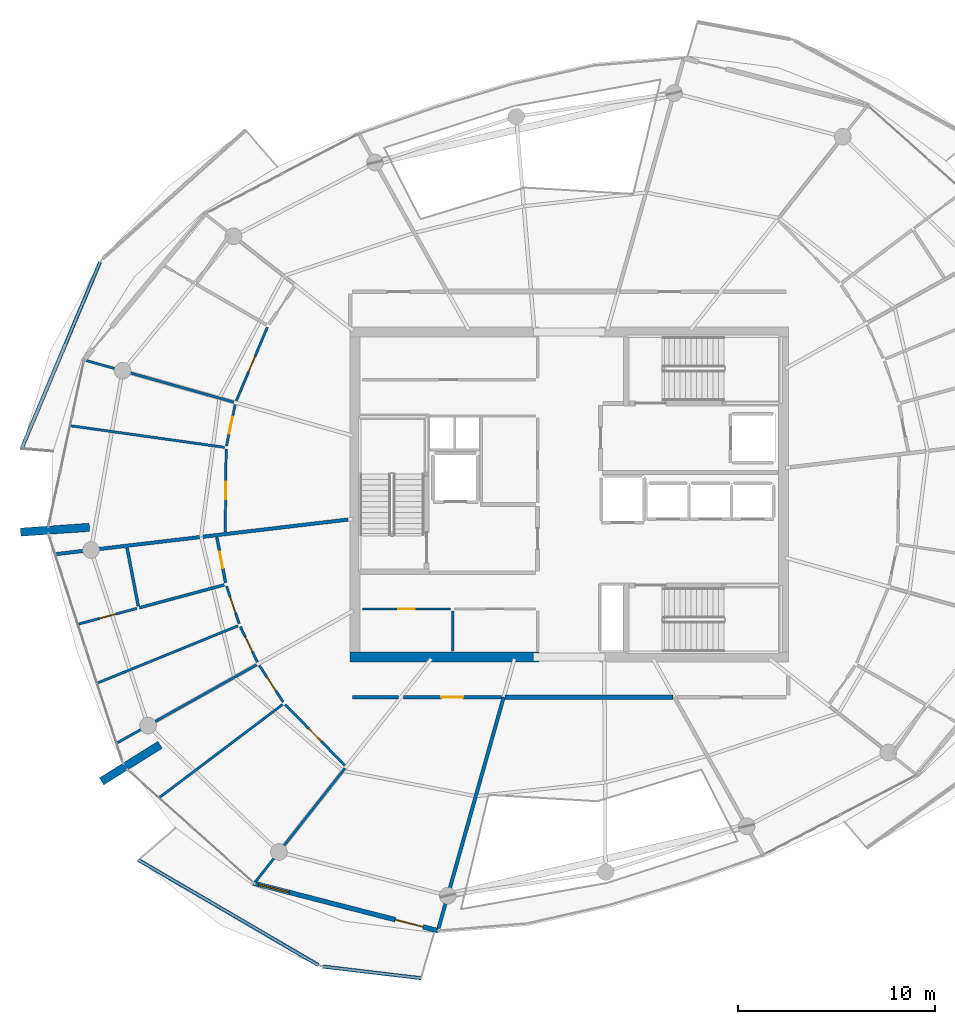
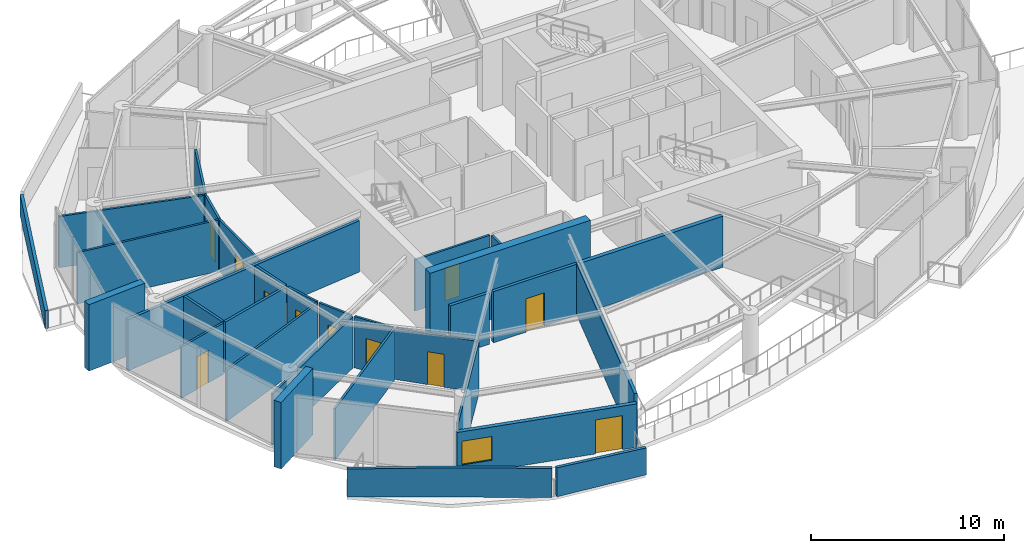
# One storey, part 12 of 21: 31 walls, 12 doors, 1 window, 13 openings.
"""IFC4 building model written with IfcOpenShell, lengths in metres."""

from ifc_helpers import new_model, si_unit, direction, frame, frame_2d, origin, place, context, subcontext, project, spatial, polyline, rectangle, outline, extrude, material, layer, layer_set, type_object, element, fill, save


model = new_model("IFC4")

# Units and contexts
model_context = context("Model", 3, precision=1e-05, world=origin(), true_north=direction((0.0, 1.0)))
body_context = subcontext(model_context, "Body", "Model", "MODEL_VIEW")
ifc_project = project(units=[si_unit("LENGTHUNIT", "METRE"), si_unit("AREAUNIT", "SQUARE_METRE"), si_unit("VOLUMEUNIT", "CUBIC_METRE"), si_unit("PLANEANGLEUNIT", "RADIAN"), si_unit("MASSUNIT", "GRAM", prefix="KILO")], contexts=[model_context])

# Site, building, storey
site_placement = place(None, origin())
site = spatial("IfcSite", under=ifc_project, at=site_placement, CompositionType="ELEMENT")
building_placement = place(site_placement, origin())
building = spatial("IfcBuilding", under=site, at=building_placement, Name="Kazma Halo Residences", CompositionType="ELEMENT")
storey_placement = place(building_placement, frame((0.0, 0.0, 338.89990234375)))
storey = spatial("IfcBuildingStorey", under=building, at=storey_placement, Name="L85", CompositionType="ELEMENT", Elevation=338.89990234375)

# Walls
ifc_material_1 = material(Name="White Concrete C50/60 Balustrade", Category="concrete")
ifc_layer_1 = layer(ifc_material_1, 0.179931640625)
ifc_layer_set_1 = layer_set([ifc_layer_1], Name="White Concrete C50/60 Balustrade")
wall_type_1 = type_object("IfcWallType", Name="WL-BAL-WAVE-180", PredefinedType="PARAPET", material=ifc_layer_set_1)
wall_1_placement = place(storey_placement, frame((24.5966796875, 53.790283203125, 0.0), z_axis=(0.0, 0.0, 1.0), x_axis=(-0.38743619069, -0.921896522471, 0.0)))
element("IfcWall", 1, at=wall_1_placement, inside=storey, type_object=wall_type_1, Name="L85 white wave balustrade wall NW.2", PredefinedType="PARAPET", context=body_context, shape_type="SweptSolid", body=[
    extrude(outline(polyline([(0.0, 0.0), (10.268798828125, 0.0), (10.26904296875, 1.1201171875), (5.134521484375, 1.18212890625), (0.0, 1.34814453125), (0.0, 0.0)])), frame((0.0, 0.08984375, 0.0), z_axis=(0.0, -1.0, 0.0), x_axis=(1.0, 0.0, 0.0)), (0.0, 0.0, 1.0), 0.179931640625),
])
wall_2_placement = place(storey_placement, frame((26.536865234375, 23.440673828125, 0.0), z_axis=(0.0, 0.0, 1.0), x_axis=(0.863585787324, -0.504201931701, 0.0)))
element("IfcWall", 2, at=wall_2_placement, inside=storey, type_object=wall_type_1, Name="L85 white wave balustrade wall SW.1", PredefinedType="PARAPET", context=body_context, shape_type="SweptSolid", body=[
    extrude(outline(polyline([(0.0, 0.0), (10.595458984375, 0.0), (10.595703125, 1.83203125), (5.2978515625, 1.85302734375), (0.0, 1.756103515625), (0.0, 0.0)])), frame((0.0, 0.08984375, 0.0), z_axis=(0.0, -1.0, 0.0), x_axis=(1.0, 0.0, 0.0)), (0.0, 0.0, 1.0), 0.179931640625),
])
wall_3_placement = place(storey_placement, frame((35.909912109375, 18.023681640625, 0.0), z_axis=(0.0, 0.0, 1.0), x_axis=(0.993029560094, -0.117865570802, 0.0)))
element("IfcWall", 3, at=wall_3_placement, inside=storey, type_object=wall_type_1, Name="L85 white wave balustrade wall SW.2", PredefinedType="PARAPET", context=body_context, shape_type="SweptSolid", body=[
    extrude(outline(polyline([(0.0, 0.0), (5.033447265625, 0.0), (5.03369140625, 1.701171875), (0.0, 1.83203125), (0.0, 0.0)])), frame((0.0, 0.08984375, 0.0), z_axis=(0.0, -1.0, 0.0), x_axis=(1.0, 0.0, 0.0)), (0.0, 0.0, 1.0), 0.179931640625),
])
ifc_material_2 = material(Name="Pale Concrete C60/75", Category="concrete")
ifc_layer_2 = layer(ifc_material_2, 0.419921875)
ifc_layer_set_2 = layer_set([ifc_layer_2], Name="Pale Concrete C60/75")
wall_type_2 = type_object("IfcWallType", Name="WL-BLADE-420", PredefinedType="SOLIDWALL", material=ifc_layer_set_2)
for number, where, z_axis, x_axis, name in (
    (4, (24.05908203125, 40.325927734375, 0.0), (0.0, 0.0, 1.0), (-0.997564163539, -0.069754853754, 0.0), "L85 pale concrete structural blade fin wall BW-02"),
    (5, (27.6474609375, 29.2822265625, 0.0), (0.0, 0.0, 1.0), (-0.848053161125, -0.529911158502, 0.0), "L85 pale concrete structural blade fin wall BW-03"),
):
    element("IfcWall", number, at=place(storey_placement, frame(where, z_axis=z_axis, x_axis=x_axis)), inside=storey, type_object=wall_type_2, Name=name, PredefinedType="SOLIDWALL", context=body_context, shape_type="SweptSolid", body=[
        extrude(rectangle(XDim=3.5, YDim=0.419921875, at=frame_2d((1.75, 0.0))), origin(), (0.0, 0.0, 1.0), 4.2001953125),
    ])
ifc_material_3 = material(Name="Concrete C60/75", Category="concrete")
ifc_layer_3 = layer(ifc_material_3, 0.5)
ifc_layer_set_3 = layer_set([ifc_layer_3], Name="Concrete C60/75")
wall_type_3 = type_object("IfcWallType", Name="WL-CORE-500", PredefinedType="SHEAR", material=ifc_layer_set_3)
wall_4_placement = place(storey_placement, frame((37.300048828125, 33.75, 0.0), z_axis=(0.0, 0.0, 1.0), x_axis=(1.0, 0.0, 0.0)))
element("IfcWall", 6, at=wall_4_placement, inside=storey, type_object=wall_type_3, Name="L85 central core shear wall SW", PredefinedType="SHEAR", context=body_context, shape_type="SweptSolid", body=[
    extrude(rectangle(XDim=9.599853515625, YDim=0.5, at=frame_2d((4.7998046875, 0.0))), origin(), (0.0, 0.0, 1.0), 4.2001953125),
])
ifc_material_4 = material(Name="Acoustic Twin-Stud Gypsum")
ifc_layer_4 = layer(ifc_material_4, 0.179931640625)
ifc_layer_set_4 = layer_set([ifc_layer_4], Name="Acoustic Twin-Stud Gypsum")
wall_type_4 = type_object("IfcWallType", Name="WL-DEM-180", PredefinedType="PARTITIONING", material=ifc_layer_set_4)
wall_5_placement = place(storey_placement, frame((37.19091796875, 40.720703125, 0.0), z_axis=(0.0, 0.0, 1.0), x_axis=(-0.993068548333, -0.117536625409, 0.0)))
element("IfcWall", 7, at=wall_5_placement, inside=storey, type_object=wall_type_4, Name="L85 apartment demising radial wall 07", PredefinedType="PARTITIONING", context=body_context, shape_type="SweptSolid", body=[
    extrude(rectangle(XDim=14.951171875, YDim=0.179931640625, at=frame_2d((7.4755859375, 0.0))), origin(), (0.0, 0.0, 1.0), 3.239990234375),
])
wall_6_placement = place(storey_placement, frame((45.09521484375, 31.699951171875, 0.0), z_axis=(0.0, 0.0, 1.0), x_axis=(-0.271453030279, -0.962451688321, 0.0)))
element("IfcWall", 8, at=wall_6_placement, inside=storey, type_object=wall_type_4, Name="L85 apartment demising radial wall 10", PredefinedType="PARTITIONING", context=body_context, shape_type="SweptSolid", body=[
    extrude(rectangle(XDim=12.191162109375, YDim=0.179931640625, at=frame_2d((6.095703125, 0.0))), origin(), (0.0, 0.0, 1.0), 3.239990234375),
])

# Wall, opening, door
wall_7_placement = place(storey_placement, frame((40.0, 31.699951171875, 0.0), z_axis=(0.0, 0.0, 1.0), x_axis=(1.0, 0.0, 0.0)))
wall_7 = element("IfcWall", 9, at=wall_7_placement, inside=storey, type_object=wall_type_4, Name="L85 Penthouse 2 entrance corridor wall", PredefinedType="PARTITIONING", context=body_context, shape_type="SweptSolid", body=[
    extrude(rectangle(XDim=4.97509765625, YDim=0.179931640625, at=frame_2d((2.487548828125, 0.0))), origin(), (0.0, 0.0, 1.0), 3.239990234375),
])
opening_1_placement = place(wall_7_placement, frame((1.9375, 0.0, 0.0)))
opening_1 = element("IfcOpeningElement", 10, at=opening_1_placement, cuts=wall_7, Name="Opening DA-1100", PredefinedType="OPENING", context=body_context, shape_type="SweptSolid", body=[
    extrude(rectangle(XDim=1.10009765625, YDim=2.10009765625, at=frame_2d((0.550048828125, 1.050048828125))), frame((0.0, 0.099853515625, 0.0), z_axis=(0.0, -1.0, 0.0), x_axis=(1.0, 0.0, 0.0)), (0.0, 0.0, 1.0), 0.199951171875),
])
ifc_material_5 = material(Name="Acoustic Walnut Fire Leaf")
door_type_1 = type_object("IfcDoorType", Name="DR-FD60-1100", OperationType="NOTDEFINED", PredefinedType="DOOR", material=ifc_material_5)
door_1_placement = place(opening_1_placement, origin())
door_1 = element("IfcDoor", 11, at=door_1_placement, inside=storey, type_object=door_type_1, Name="L85 Penthouse 2 entrance fire door", OperationType="SINGLE_SWING_RIGHT", OverallHeight=2.10009765625, OverallWidth=1.10009765625, PredefinedType="DOOR", context=body_context, shape_type="SweptSolid", body=[
    extrude(rectangle(XDim=1.10009765625, YDim=2.10009765625, at=frame_2d((0.550048828125, 1.050048828125))), frame((0.0, 0.02490234375, 0.0), z_axis=(0.0, -1.0, 0.0), x_axis=(1.0, 0.0, 0.0)), (0.0, 0.0, 1.0), 0.050048828125),
])
fill(opening_1, door_1)

# Wall
wall_8_placement = place(storey_placement, frame((37.419921875, 31.699951171875, 0.0), z_axis=(0.0, 0.0, 1.0), x_axis=(1.0, 0.0, 0.0)))
element("IfcWall", 12, at=wall_8_placement, inside=storey, type_object=wall_type_4, Name="L85 Penthouse 2 inner wall 8", PredefinedType="PARTITIONING", context=body_context, shape_type="SweptSolid", body=[
    extrude(rectangle(XDim=2.340087890625, YDim=0.179931640625, at=frame_2d((1.169921875, 0.0))), origin(), (0.0, 0.0, 1.0), 3.239990234375),
])

# Wall, openings, door, window
ifc_material_6 = material(Name="Insulated Pale-Metal Composite Wall")
ifc_layer_5 = layer(ifc_material_6, 0.239990234375)
ifc_layer_set_5 = layer_set([ifc_layer_5], Name="Insulated Pale-Metal Composite Wall")
wall_type_5 = type_object("IfcWallType", Name="WL-EXT-HOST-240", PredefinedType="SOLIDWALL", material=ifc_layer_set_5)
wall_9_placement = place(storey_placement, frame((32.380126953125, 22.26025390625, 0.0), z_axis=(0.0, 0.0, 1.0), x_axis=(0.968389062354, -0.249444630957, 0.0)))
wall_9 = element("IfcWall", 13, at=wall_9_placement, inside=storey, type_object=wall_type_5, Name="L85 exterior terrace-access wall B10", PredefinedType="SOLIDWALL", context=body_context, shape_type="SweptSolid", body=[
    extrude(rectangle(XDim=9.677734375, YDim=0.239990234375, at=frame_2d((4.8388671875, 0.0))), origin(), (0.0, 0.0, 1.0), 2.75),
])
opening_2_placement = place(wall_9_placement, frame((7.457763671875, 0.0, 0.0)))
opening_2 = element("IfcOpeningElement", 14, at=opening_2_placement, cuts=wall_9, Name="Opening DTR-1600", PredefinedType="OPENING", context=body_context, shape_type="SweptSolid", body=[
    extrude(rectangle(XDim=1.449951171875, YDim=2.14990234375, at=frame_2d((0.72509765625, 1.074951171875))), frame((0.0, 0.1298828125, 0.0), z_axis=(0.0, -1.0, 0.0), x_axis=(1.0, 0.0, 0.0)), (0.0, 0.0, 1.0), 0.260009765625),
])
opening_3_placement = place(wall_9_placement, frame((0.280029296875, 0.0, 0.64990234375)))
opening_3 = element("IfcOpeningElement", 15, at=opening_3_placement, cuts=wall_9, Name="Opening W-1800", PredefinedType="OPENING", context=body_context, shape_type="SweptSolid", body=[
    extrude(rectangle(XDim=1.60009765625, YDim=1.5, at=frame_2d((0.800048828125, 0.75))), frame((0.0, 0.1298828125, 0.0), z_axis=(0.0, -1.0, 0.0), x_axis=(1.0, 0.0, 0.0)), (0.0, 0.0, 1.0), 0.260009765625),
])
ifc_material_7 = material(Name="Aluminium AW-6063 T6 Double-Glazed Terrace Door", Category="aluminium")
door_type_2 = type_object("IfcDoorType", Name="DR-EXT-TERR-1600", OperationType="NOTDEFINED", PredefinedType="DOOR", material=ifc_material_7)
door_2_placement = place(opening_2_placement, origin())
door_2 = element("IfcDoor", 16, at=door_2_placement, inside=storey, type_object=door_type_2, Name="L85 B10 balcony terrace door", OperationType="DOUBLE_DOOR_SLIDING", OverallHeight=2.14990234375, OverallWidth=1.449951171875, PredefinedType="DOOR", context=body_context, shape_type="SweptSolid", body=[
    extrude(rectangle(XDim=1.449951171875, YDim=2.14990234375, at=frame_2d((0.72509765625, 1.074951171875))), frame((0.0, 0.02490234375, 0.0), z_axis=(0.0, -1.0, 0.0), x_axis=(1.0, 0.0, 0.0)), (0.0, 0.0, 1.0), 0.050048828125),
])
fill(opening_2, door_2)
ifc_material_8 = material(Name="Clear Triple-Silver Low-E Glass in Aluminium AW-6063 T6 Frame", Category="aluminium")
window_type = type_object("IfcWindowType", Name="WIN-RES-1800", PartitioningType="DOUBLE_PANEL_VERTICAL", PredefinedType="WINDOW", material=ifc_material_8)
window_placement = place(opening_3_placement, origin())
window = element("IfcWindow", 17, at=window_placement, inside=storey, type_object=window_type, Name="L85 B10 apartment window", OverallHeight=1.5, OverallWidth=1.60009765625, PartitioningType="SINGLE_PANEL", PredefinedType="WINDOW", context=body_context, shape_type="SweptSolid", body=[
    extrude(rectangle(XDim=1.60009765625, YDim=1.5, at=frame_2d((0.800048828125, 0.75))), frame((0.0, 0.030029296875, 0.0), z_axis=(0.0, -1.0, 0.0), x_axis=(1.0, 0.0, 0.0)), (0.0, 0.0, 1.0), 0.06005859375),
])
fill(opening_3, window)

# Walls
wall_10_placement = place(storey_placement, frame((45.1650390625, 31.699951171875, 0.0), z_axis=(0.0, 0.0, 1.0), x_axis=(1.0, 0.0, 0.0)))
element("IfcWall", 18, at=wall_10_placement, inside=storey, type_object=wall_type_5, Name="L85 wind-portal core closure wall", PredefinedType="SOLIDWALL", context=body_context, shape_type="SweptSolid", body=[
    extrude(rectangle(XDim=8.533203125, YDim=0.239990234375, at=frame_2d((4.2666015625, 0.0))), origin(), (0.0, 0.0, 1.0), 3.239990234375),
])
ifc_material_9 = material(Name="Gypsum Plasterboard Partition")
ifc_layer_6 = layer(ifc_material_9, 0.125)
ifc_layer_set_6 = layer_set([ifc_layer_6], Name="Gypsum Plasterboard Partition")
wall_type_6 = type_object("IfcWallType", Name="WL-PART-125", PredefinedType="PARTITIONING", material=ifc_layer_set_6)
wall_11_placement = place(storey_placement, frame((42.5, 34.050048828125, 0.0), z_axis=(0.0, 0.0, 1.0), x_axis=(0.0, 1.0, 0.0)))
element("IfcWall", 19, at=wall_11_placement, inside=storey, type_object=wall_type_6, Name="L85 reclaimed south divider wall", PredefinedType="PARTITIONING", context=body_context, shape_type="SweptSolid", body=[
    extrude(rectangle(XDim=2.030029296875, YDim=0.125, at=frame_2d((1.01513671875, 0.0))), origin(), (0.0, 0.0, 1.0), 3.239990234375),
])

# Wall, opening, door
wall_12_placement = place(storey_placement, frame((37.919921875, 36.179931640625, 0.0), z_axis=(0.0, 0.0, 1.0), x_axis=(1.0, 0.0, 0.0)))
wall_12 = element("IfcWall", 20, at=wall_12_placement, inside=storey, type_object=wall_type_6, Name="L85 reclaimed south W front wall", PredefinedType="PARTITIONING", context=body_context, shape_type="SweptSolid", body=[
    extrude(rectangle(XDim=4.47998046875, YDim=0.125, at=frame_2d((2.239990234375, 0.0))), origin(), (0.0, 0.0, 1.0), 3.239990234375),
])
opening_4_placement = place(wall_12_placement, frame((1.81494140625, 0.0, 0.0)))
opening_4 = element("IfcOpeningElement", 21, at=opening_4_placement, cuts=wall_12, Name="Opening DS-850", PredefinedType="OPENING", context=body_context, shape_type="SweptSolid", body=[
    extrude(rectangle(XDim=0.85009765625, YDim=2.06005859375, at=frame_2d((0.425048828125, 1.030029296875))), frame((0.0, 0.072509765625, 0.0), z_axis=(0.0, -1.0, 0.0), x_axis=(1.0, 0.0, 0.0)), (0.0, 0.0, 1.0), 0.14501953125),
])
ifc_material_10 = material(Name="Painted Steel Access Leaf", Category="steel")
door_type_3 = type_object("IfcDoorType", Name="DR-SVC-850", OperationType="NOTDEFINED", PredefinedType="DOOR", material=ifc_material_10)
door_3_placement = place(opening_4_placement, origin())
door_3 = element("IfcDoor", 22, at=door_3_placement, inside=storey, type_object=door_type_3, Name="L85 reclaimed south W door", OperationType="SINGLE_SWING_RIGHT", OverallHeight=2.06005859375, OverallWidth=0.85009765625, PredefinedType="DOOR", context=body_context, shape_type="SweptSolid", body=[
    extrude(rectangle(XDim=0.85009765625, YDim=2.06005859375, at=frame_2d((0.425048828125, 1.030029296875))), frame((0.0, 0.02490234375, 0.0), z_axis=(0.0, -1.0, 0.0), x_axis=(1.0, 0.0, 0.0)), (0.0, 0.0, 1.0), 0.050048828125),
])
fill(opening_4, door_3)

wall_13_placement = place(storey_placement, frame((33.093505859375, 50.485107421875, 0.0), z_axis=(0.0, 0.0, 1.0), x_axis=(-0.388261704365, -0.921549157085, 0.0)))
wall_13 = element("IfcWall", 23, at=wall_13_placement, inside=storey, type_object=wall_type_6, Name="L85 Penthouse 1 Gourmet Kitchen hall wall", PredefinedType="PARTITIONING", context=body_context, shape_type="SweptSolid", body=[
    extrude(rectangle(XDim=4.052001953125, YDim=0.125, at=frame_2d((2.02587890625, 0.0))), origin(), (0.0, 0.0, 1.0), 3.239990234375),
])
opening_5_placement = place(wall_13_placement, frame((1.575927734375, 0.0, 0.0)))
opening_5 = element("IfcOpeningElement", 24, at=opening_5_placement, cuts=wall_13, Name="Opening DI-950", PredefinedType="OPENING", context=body_context, shape_type="SweptSolid", body=[
    extrude(rectangle(XDim=0.89990234375, YDim=2.080078125, at=frame_2d((0.449951171875, 1.0400390625))), frame((0.0, 0.072509765625, 0.0), z_axis=(0.0, -1.0, 0.0), x_axis=(1.0, 0.0, 0.0)), (0.0, 0.0, 1.0), 0.14501953125),
])
ifc_material_11 = material(Name="Timber Veneer Flush Leaf", Category="wood")
door_type_4 = type_object("IfcDoorType", Name="DR-INT-950", OperationType="NOTDEFINED", PredefinedType="DOOR", material=ifc_material_11)
door_4_placement = place(opening_5_placement, origin())
door_4 = element("IfcDoor", 25, at=door_4_placement, inside=storey, type_object=door_type_4, Name="L85 Penthouse 1 Gourmet Kitchen door", OperationType="SINGLE_SWING_LEFT", OverallHeight=2.080078125, OverallWidth=0.89990234375, PredefinedType="DOOR", context=body_context, shape_type="SweptSolid", body=[
    extrude(rectangle(XDim=0.89990234375, YDim=2.080078125, at=frame_2d((0.449951171875, 1.0400390625))), frame((0.0, 0.02490234375, 0.0), z_axis=(0.0, -1.0, 0.0), x_axis=(1.0, 0.0, 0.0)), (0.0, 0.0, 1.0), 0.050048828125),
])
fill(opening_5, door_4)

# Walls
wall_14_placement = place(storey_placement, frame((31.38525390625, 46.685791015625, 0.0), z_axis=(0.0, 0.0, 1.0), x_axis=(-0.962455784847, 0.271438505401, 0.0)))
element("IfcWall", 26, at=wall_14_placement, inside=storey, type_object=wall_type_6, Name="L85 Penthouse 1 radial partition 6", PredefinedType="PARTITIONING", context=body_context, shape_type="SweptSolid", body=[
    extrude(rectangle(XDim=7.763916015625, YDim=0.125, at=frame_2d((3.8818359375, 0.0))), origin(), (0.0, 0.0, 1.0), 3.239990234375),
])
wall_15_placement = place(storey_placement, frame((30.91357421875, 44.390625, 0.0), z_axis=(0.0, 0.0, 1.0), x_axis=(-0.990350838179, 0.138582889702, 0.0)))
element("IfcWall", 27, at=wall_15_placement, inside=storey, type_object=wall_type_6, Name="L85 Penthouse 1 mid-bay wall 6", PredefinedType="PARTITIONING", context=body_context, shape_type="SweptSolid", body=[
    extrude(rectangle(XDim=7.888916015625, YDim=0.125, at=frame_2d((3.9443359375, 0.0))), origin(), (0.0, 0.0, 1.0), 3.239990234375),
])

# Wall, opening, door
wall_16_placement = place(storey_placement, frame((31.4609375, 46.560791015625, 0.0), z_axis=(0.0, 0.0, 1.0), x_axis=(-0.205518321788, -0.978653268226, 0.0)))
wall_16 = element("IfcWall", 28, at=wall_16_placement, inside=storey, type_object=wall_type_6, Name="L85 Penthouse 1 Primary Dressing Wardrobe hall wall", PredefinedType="PARTITIONING", context=body_context, shape_type="SweptSolid", body=[
    extrude(rectangle(XDim=2.150146484375, YDim=0.125, at=frame_2d((1.0751953125, 0.0))), origin(), (0.0, 0.0, 1.0), 3.239990234375),
])
opening_6_placement = place(wall_16_placement, frame((0.650146484375, 0.0, 0.0)))
opening_6 = element("IfcOpeningElement", 29, at=opening_6_placement, cuts=wall_16, Name="Opening DB-900", PredefinedType="OPENING", context=body_context, shape_type="SweptSolid", body=[
    extrude(rectangle(XDim=0.85009765625, YDim=2.06005859375, at=frame_2d((0.425048828125, 1.030029296875))), frame((0.0, 0.072509765625, 0.0), z_axis=(0.0, -1.0, 0.0), x_axis=(1.0, 0.0, 0.0)), (0.0, 0.0, 1.0), 0.14501953125),
])
ifc_material_12 = material(Name="Moisture-Sealed Timber Leaf", Category="wood")
door_type_5 = type_object("IfcDoorType", Name="DR-BTH-900", OperationType="NOTDEFINED", PredefinedType="DOOR", material=ifc_material_12)
door_5_placement = place(opening_6_placement, origin())
door_5 = element("IfcDoor", 30, at=door_5_placement, inside=storey, type_object=door_type_5, Name="L85 Penthouse 1 Primary Dressing Wardrobe door", OperationType="SINGLE_SWING_RIGHT", OverallHeight=2.06005859375, OverallWidth=0.85009765625, PredefinedType="DOOR", context=body_context, shape_type="SweptSolid", body=[
    extrude(rectangle(XDim=0.85009765625, YDim=2.06005859375, at=frame_2d((0.425048828125, 1.030029296875))), frame((0.0, 0.02490234375, 0.0), z_axis=(0.0, -1.0, 0.0), x_axis=(1.0, 0.0, 0.0)), (0.0, 0.0, 1.0), 0.050048828125),
])
fill(opening_6, door_5)

wall_17_placement = place(storey_placement, frame((31.001708984375, 44.298095703125, 0.0), z_axis=(0.0, 0.0, 1.0), x_axis=(-0.010598269554, -0.999943836764, 0.0)))
wall_17 = element("IfcWall", 31, at=wall_17_placement, inside=storey, type_object=wall_type_6, Name="L85 Penthouse 1 Secondary Master Bedroom hall wall", PredefinedType="PARTITIONING", context=body_context, shape_type="SweptSolid", body=[
    extrude(rectangle(XDim=4.215576171875, YDim=0.125, at=frame_2d((2.10791015625, 0.0))), origin(), (0.0, 0.0, 1.0), 3.239990234375),
])
opening_7_placement = place(wall_17_placement, frame((1.657958984375, 0.0, 0.0)))
opening_7 = element("IfcOpeningElement", 32, at=opening_7_placement, cuts=wall_17, Name="Opening DI-950", PredefinedType="OPENING", context=body_context, shape_type="SweptSolid", body=[
    extrude(rectangle(XDim=0.89990234375, YDim=2.080078125, at=frame_2d((0.449951171875, 1.0400390625))), frame((0.0, 0.072509765625, 0.0), z_axis=(0.0, -1.0, 0.0), x_axis=(1.0, 0.0, 0.0)), (0.0, 0.0, 1.0), 0.14501953125),
])
door_6_placement = place(opening_7_placement, origin())
door_6 = element("IfcDoor", 33, at=door_6_placement, inside=storey, type_object=door_type_4, Name="L85 Penthouse 1 Secondary Master Bedroom door", OperationType="SINGLE_SWING_LEFT", OverallHeight=2.080078125, OverallWidth=0.89990234375, PredefinedType="DOOR", context=body_context, shape_type="SweptSolid", body=[
    extrude(rectangle(XDim=0.89990234375, YDim=2.080078125, at=frame_2d((0.449951171875, 1.0400390625))), frame((0.0, 0.02490234375, 0.0), z_axis=(0.0, -1.0, 0.0), x_axis=(1.0, 0.0, 0.0)), (0.0, 0.0, 1.0), 0.050048828125),
])
fill(opening_7, door_6)

wall_18_placement = place(storey_placement, frame((26.472900390625, 36.210693359375, 0.0), z_axis=(0.0, 0.0, 1.0), x_axis=(-0.965686885268, -0.259709144278, 0.0)))
wall_18 = element("IfcWall", 34, at=wall_18_placement, inside=storey, type_object=wall_type_6, Name="L85 Penthouse 2 Household Store Room partition wall", PredefinedType="PARTITIONING", context=body_context, shape_type="SweptSolid", body=[
    extrude(rectangle(XDim=3.08056640625, YDim=0.125, at=frame_2d((1.540283203125, 0.0))), origin(), (0.0, 0.0, 1.0), 3.239990234375),
])
opening_8_placement = place(wall_18_placement, frame((1.115234375, 0.0, 0.0)))
opening_8 = element("IfcOpeningElement", 35, at=opening_8_placement, cuts=wall_18, Name="Opening DB-900", PredefinedType="OPENING", context=body_context, shape_type="SweptSolid", body=[
    extrude(rectangle(XDim=0.85009765625, YDim=2.06005859375, at=frame_2d((0.425048828125, 1.030029296875))), frame((0.0, 0.072509765625, 0.0), z_axis=(0.0, -1.0, 0.0), x_axis=(1.0, 0.0, 0.0)), (0.0, 0.0, 1.0), 0.14501953125),
])
door_7_placement = place(opening_8_placement, origin())
door_7 = element("IfcDoor", 36, at=door_7_placement, inside=storey, type_object=door_type_5, Name="L85 Penthouse 2 Household Store Room door", OperationType="SINGLE_SWING_RIGHT", OverallHeight=2.06005859375, OverallWidth=0.85009765625, PredefinedType="DOOR", context=body_context, shape_type="SweptSolid", body=[
    extrude(rectangle(XDim=0.85009765625, YDim=2.06005859375, at=frame_2d((0.425048828125, 1.030029296875))), frame((0.0, 0.02490234375, 0.0), z_axis=(0.0, -1.0, 0.0), x_axis=(1.0, 0.0, 0.0)), (0.0, 0.0, 1.0), 0.050048828125),
])
fill(opening_8, door_7)

# Wall
wall_19_placement = place(storey_placement, frame((31.6044921875, 35.325439453125, 0.0), z_axis=(0.0, 0.0, 1.0), x_axis=(-0.926197317487, -0.377039161202, 0.0)))
element("IfcWall", 37, at=wall_19_placement, inside=storey, type_object=wall_type_6, Name="L85 Penthouse 2 suite divider 7", PredefinedType="PARTITIONING", context=body_context, shape_type="SweptSolid", body=[
    extrude(rectangle(XDim=7.70361328125, YDim=0.125, at=frame_2d((3.851806640625, 0.0))), origin(), (0.0, 0.0, 1.0), 3.239990234375),
])

# Wall, opening, door
wall_20_placement = place(storey_placement, frame((31.02099609375, 37.3408203125, 0.0), z_axis=(0.0, 0.0, 1.0), x_axis=(0.318958301795, -0.947768749071, 0.0)))
wall_20 = element("IfcWall", 38, at=wall_20_placement, inside=storey, type_object=wall_type_6, Name="L85 Penthouse 2 Gourmet Kitchen hall wall", PredefinedType="PARTITIONING", context=body_context, shape_type="SweptSolid", body=[
    extrude(rectangle(XDim=2.0107421875, YDim=0.125, at=frame_2d((1.00537109375, 0.0))), origin(), (0.0, 0.0, 1.0), 3.239990234375),
])
opening_9_placement = place(wall_20_placement, frame((0.580322265625, 0.0, 0.0)))
opening_9 = element("IfcOpeningElement", 39, at=opening_9_placement, cuts=wall_20, Name="Opening DB-900", PredefinedType="OPENING", context=body_context, shape_type="SweptSolid", body=[
    extrude(rectangle(XDim=0.85009765625, YDim=2.06005859375, at=frame_2d((0.425048828125, 1.030029296875))), frame((0.0, 0.072509765625, 0.0), z_axis=(0.0, -1.0, 0.0), x_axis=(1.0, 0.0, 0.0)), (0.0, 0.0, 1.0), 0.14501953125),
])
door_8_placement = place(opening_9_placement, origin())
door_8 = element("IfcDoor", 40, at=door_8_placement, inside=storey, type_object=door_type_5, Name="L85 Penthouse 2 Gourmet Kitchen door", OperationType="SINGLE_SWING_LEFT", OverallHeight=2.06005859375, OverallWidth=0.85009765625, PredefinedType="DOOR", context=body_context, shape_type="SweptSolid", body=[
    extrude(rectangle(XDim=0.85009765625, YDim=2.06005859375, at=frame_2d((0.425048828125, 1.030029296875))), frame((0.0, 0.02490234375, 0.0), z_axis=(0.0, -1.0, 0.0), x_axis=(1.0, 0.0, 0.0)), (0.0, 0.0, 1.0), 0.050048828125),
])
fill(opening_9, door_8)

wall_21_placement = place(storey_placement, frame((31.72265625, 35.287109375, 0.0), z_axis=(0.0, 0.0, 1.0), x_axis=(0.433639468752, -0.901086461523, 0.0)))
wall_21 = element("IfcWall", 41, at=wall_21_placement, inside=storey, type_object=wall_type_6, Name="L85 Penthouse 2 Primary Bedroom hall wall", PredefinedType="PARTITIONING", context=body_context, shape_type="SweptSolid", body=[
    extrude(rectangle(XDim=2.000244140625, YDim=0.125, at=frame_2d((1.0, 0.0))), origin(), (0.0, 0.0, 1.0), 3.239990234375),
])
opening_10_placement = place(wall_21_placement, frame((0.5751953125, 0.0, 0.0)))
opening_10 = element("IfcOpeningElement", 42, at=opening_10_placement, cuts=wall_21, Name="Opening DB-900", PredefinedType="OPENING", context=body_context, shape_type="SweptSolid", body=[
    extrude(rectangle(XDim=0.85009765625, YDim=2.06005859375, at=frame_2d((0.425048828125, 1.030029296875))), frame((0.0, 0.072509765625, 0.0), z_axis=(0.0, -1.0, 0.0), x_axis=(1.0, 0.0, 0.0)), (0.0, 0.0, 1.0), 0.14501953125),
])
door_9_placement = place(opening_10_placement, origin())
door_9 = element("IfcDoor", 43, at=door_9_placement, inside=storey, type_object=door_type_5, Name="L85 Penthouse 2 Primary Bedroom door", OperationType="SINGLE_SWING_RIGHT", OverallHeight=2.06005859375, OverallWidth=0.85009765625, PredefinedType="DOOR", context=body_context, shape_type="SweptSolid", body=[
    extrude(rectangle(XDim=0.85009765625, YDim=2.06005859375, at=frame_2d((0.425048828125, 1.030029296875))), frame((0.0, 0.02490234375, 0.0), z_axis=(0.0, -1.0, 0.0), x_axis=(1.0, 0.0, 0.0)), (0.0, 0.0, 1.0), 0.050048828125),
])
fill(opening_10, door_9)

# Walls
wall_22_placement = place(storey_placement, frame((32.54638671875, 33.345458984375, 0.0), z_axis=(0.0, 0.0, 1.0), x_axis=(-0.87250499099, -0.488605199212, 0.0)))
element("IfcWall", 44, at=wall_22_placement, inside=storey, type_object=wall_type_6, Name="L85 Penthouse 2 radial partition 8", PredefinedType="PARTITIONING", context=body_context, shape_type="SweptSolid", body=[
    extrude(rectangle(XDim=8.12353515625, YDim=0.125, at=frame_2d((4.061767578125, 0.0))), origin(), (0.0, 0.0, 1.0), 3.239990234375),
])
wall_23_placement = place(storey_placement, frame((37.03466796875, 28.090576171875, 0.0), z_axis=(0.0, 0.0, 1.0), x_axis=(-0.619085814128, -0.785323344072, 0.0)))
element("IfcWall", 45, at=wall_23_placement, inside=storey, type_object=wall_type_6, Name="L85 Penthouse 2 living radial partition 8", PredefinedType="PARTITIONING", context=body_context, shape_type="SweptSolid", body=[
    extrude(rectangle(XDim=7.4150390625, YDim=0.125, at=frame_2d((3.70751953125, 0.0))), origin(), (0.0, 0.0, 1.0), 3.239990234375),
])
wall_24_placement = place(storey_placement, frame((33.873291015625, 31.33251953125, 0.0), z_axis=(0.0, 0.0, 1.0), x_axis=(-0.798020912915, -0.602629755779, 0.0)))
element("IfcWall", 46, at=wall_24_placement, inside=storey, type_object=wall_type_6, Name="L85 Penthouse 2 mid-bay wall 8", PredefinedType="PARTITIONING", context=body_context, shape_type="SweptSolid", body=[
    extrude(rectangle(XDim=7.84814453125, YDim=0.125, at=frame_2d((3.924072265625, 0.0))), origin(), (0.0, 0.0, 1.0), 3.239990234375),
])

# Wall, opening, door
wall_25_placement = place(storey_placement, frame((32.688232421875, 33.310791015625, 0.0), z_axis=(0.0, 0.0, 1.0), x_axis=(0.546878647358, -0.837211887794, 0.0)))
wall_25 = element("IfcWall", 47, at=wall_25_placement, inside=storey, type_object=wall_type_6, Name="L85 Penthouse 2 Primary Private Study hall wall", PredefinedType="PARTITIONING", context=body_context, shape_type="SweptSolid", body=[
    extrude(rectangle(XDim=2.21826171875, YDim=0.125, at=frame_2d((1.109130859375, 0.0))), origin(), (0.0, 0.0, 1.0), 3.239990234375),
])
opening_11_placement = place(wall_25_placement, frame((0.68408203125, 0.0, 0.0)))
opening_11 = element("IfcOpeningElement", 48, at=opening_11_placement, cuts=wall_25, Name="Opening DB-900", PredefinedType="OPENING", context=body_context, shape_type="SweptSolid", body=[
    extrude(rectangle(XDim=0.85009765625, YDim=2.06005859375, at=frame_2d((0.425048828125, 1.030029296875))), frame((0.0, 0.072509765625, 0.0), z_axis=(0.0, -1.0, 0.0), x_axis=(1.0, 0.0, 0.0)), (0.0, 0.0, 1.0), 0.14501953125),
])
door_10_placement = place(opening_11_placement, origin())
door_10 = element("IfcDoor", 49, at=door_10_placement, inside=storey, type_object=door_type_5, Name="L85 Penthouse 2 Primary Private Study door", OperationType="SINGLE_SWING_RIGHT", OverallHeight=2.06005859375, OverallWidth=0.85009765625, PredefinedType="DOOR", context=body_context, shape_type="SweptSolid", body=[
    extrude(rectangle(XDim=0.85009765625, YDim=2.06005859375, at=frame_2d((0.425048828125, 1.030029296875))), frame((0.0, 0.02490234375, 0.0), z_axis=(0.0, -1.0, 0.0), x_axis=(1.0, 0.0, 0.0)), (0.0, 0.0, 1.0), 0.050048828125),
])
fill(opening_11, door_10)

wall_26_placement = place(storey_placement, frame((34.001220703125, 31.32958984375, 0.0), z_axis=(0.0, 0.0, 1.0), x_axis=(0.699699856998, -0.714436918221, 0.0)))
wall_26 = element("IfcWall", 50, at=wall_26_placement, inside=storey, type_object=wall_type_6, Name="L85 Penthouse 2 Secondary Master Bedroom hall wall", PredefinedType="PARTITIONING", context=body_context, shape_type="SweptSolid", body=[
    extrude(rectangle(XDim=4.32373046875, YDim=0.125, at=frame_2d((2.161865234375, 0.0))), origin(), (0.0, 0.0, 1.0), 3.239990234375),
])
opening_12_placement = place(wall_26_placement, frame((1.7119140625, 0.0, 0.0)))
opening_12 = element("IfcOpeningElement", 51, at=opening_12_placement, cuts=wall_26, Name="Opening DI-950", PredefinedType="OPENING", context=body_context, shape_type="SweptSolid", body=[
    extrude(rectangle(XDim=0.89990234375, YDim=2.080078125, at=frame_2d((0.449951171875, 1.0400390625))), frame((0.0, 0.072509765625, 0.0), z_axis=(0.0, -1.0, 0.0), x_axis=(1.0, 0.0, 0.0)), (0.0, 0.0, 1.0), 0.14501953125),
])
door_11_placement = place(opening_12_placement, origin())
door_11 = element("IfcDoor", 52, at=door_11_placement, inside=storey, type_object=door_type_4, Name="L85 Penthouse 2 Secondary Master Bedroom door", OperationType="SINGLE_SWING_LEFT", OverallHeight=2.080078125, OverallWidth=0.89990234375, PredefinedType="DOOR", context=body_context, shape_type="SweptSolid", body=[
    extrude(rectangle(XDim=0.89990234375, YDim=2.080078125, at=frame_2d((0.449951171875, 1.0400390625))), frame((0.0, 0.02490234375, 0.0), z_axis=(0.0, -1.0, 0.0), x_axis=(1.0, 0.0, 0.0)), (0.0, 0.0, 1.0), 0.050048828125),
])
fill(opening_12, door_11)

ifc_material_13 = material(Name="Moisture-Resistant Gypsum")
ifc_layer_7 = layer(ifc_material_13, 0.14990234375)
ifc_layer_set_7 = layer_set([ifc_layer_7], Name="Moisture-Resistant Gypsum")
wall_type_7 = type_object("IfcWallType", Name="WL-WET-150", PredefinedType="PARTITIONING", material=ifc_layer_set_7)
wall_27_placement = place(storey_placement, frame((30.529052734375, 39.831787109375, 0.0), z_axis=(0.0, 0.0, 1.0), x_axis=(0.189108301743, -0.981956236404, 0.0)))
wall_27 = element("IfcWall", 53, at=wall_27_placement, inside=storey, type_object=wall_type_7, Name="L85 Penthouse 2 Guest Bathroom hall wall", PredefinedType="PARTITIONING", context=body_context, shape_type="SweptSolid", body=[
    extrude(rectangle(XDim=2.35986328125, YDim=0.14990234375, at=frame_2d((1.179931640625, 0.0))), origin(), (0.0, 0.0, 1.0), 3.239990234375),
])
opening_13_placement = place(wall_27_placement, frame((0.7548828125, 0.0, 0.0)))
opening_13 = element("IfcOpeningElement", 54, at=opening_13_placement, cuts=wall_27, Name="Opening DB-900", PredefinedType="OPENING", context=body_context, shape_type="SweptSolid", body=[
    extrude(rectangle(XDim=0.85009765625, YDim=2.06005859375, at=frame_2d((0.425048828125, 1.030029296875))), frame((0.0, 0.0849609375, 0.0), z_axis=(0.0, -1.0, 0.0), x_axis=(1.0, 0.0, 0.0)), (0.0, 0.0, 1.0), 0.169921875),
])
door_12_placement = place(opening_13_placement, origin())
door_12 = element("IfcDoor", 55, at=door_12_placement, inside=storey, type_object=door_type_5, Name="L85 Penthouse 2 Guest Bathroom door", OperationType="SINGLE_SWING_LEFT", OverallHeight=2.06005859375, OverallWidth=0.85009765625, PredefinedType="DOOR", context=body_context, shape_type="SweptSolid", body=[
    extrude(rectangle(XDim=0.85009765625, YDim=2.06005859375, at=frame_2d((0.425048828125, 1.030029296875))), frame((0.0, 0.02490234375, 0.0), z_axis=(0.0, -1.0, 0.0), x_axis=(1.0, 0.0, 0.0)), (0.0, 0.0, 1.0), 0.050048828125),
])
fill(opening_13, door_12)

# Walls
wall_28_placement = place(storey_placement, frame((25.970703125, 39.292236328125, 0.0), z_axis=(0.0, 0.0, 1.0), x_axis=(0.189140808358, -0.981949975617, 0.0)))
element("IfcWall", 56, at=wall_28_placement, inside=storey, type_object=wall_type_7, Name="L85 Penthouse 2 Guest Bathroom back wall", PredefinedType="PARTITIONING", context=body_context, shape_type="SweptSolid", body=[
    extrude(rectangle(XDim=3.0244140625, YDim=0.14990234375, at=frame_2d((1.51220703125, 0.0))), origin(), (0.0, 0.0, 1.0), 3.239990234375),
])
wall_29_placement = place(storey_placement, frame((30.905517578125, 37.402587890625, 0.0), z_axis=(0.0, 0.0, 1.0), x_axis=(-0.96569498994, -0.259679006477, 0.0)))
element("IfcWall", 57, at=wall_29_placement, inside=storey, type_object=wall_type_7, Name="L85 Penthouse 2 Guest Bathroom side wall", PredefinedType="PARTITIONING", context=body_context, shape_type="SweptSolid", body=[
    extrude(rectangle(XDim=4.460205078125, YDim=0.14990234375, at=frame_2d((2.22998046875, 0.0))), origin(), (0.0, 0.0, 1.0), 3.239990234375),
])

save(model, "model.ifc")
